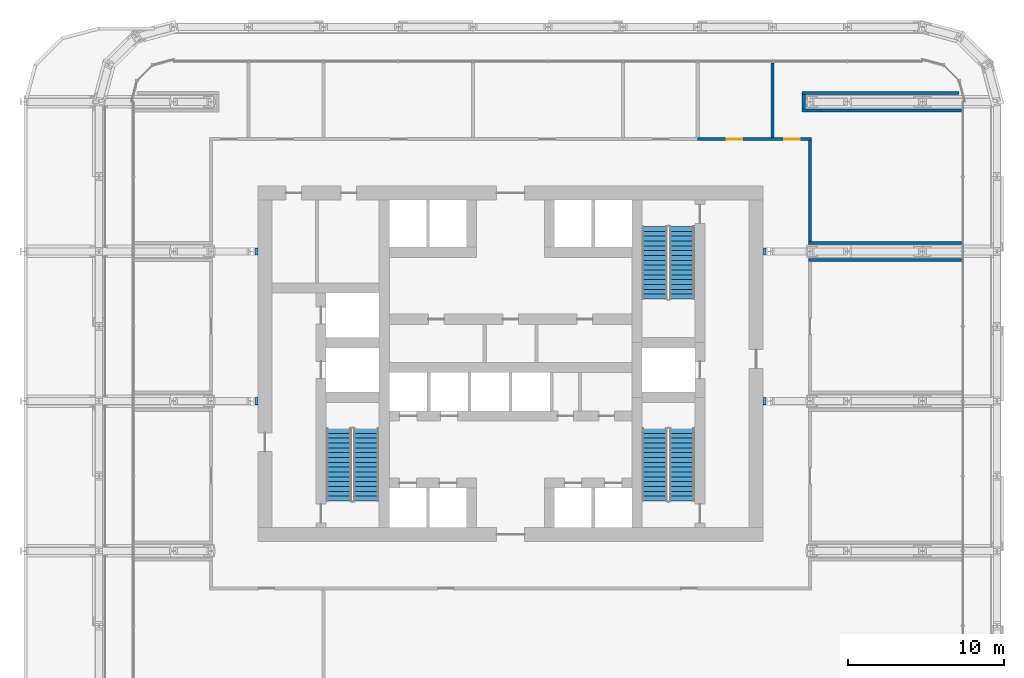
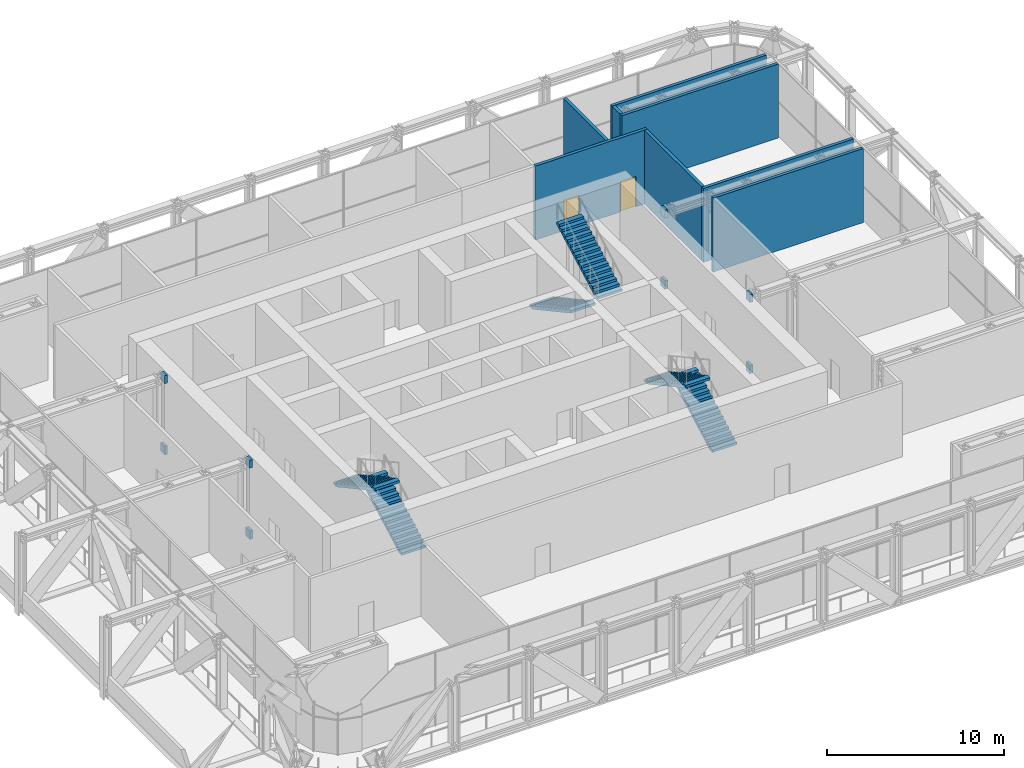
# One storey, part 22 of 30: 8 discrete accessories, 8 walls, 6 stair flights, 2 doors, 2 openings, 3 elements without a shape of their own.
"""IFC4 building model written with IfcOpenShell, lengths in metres."""

from ifc_helpers import new_model, si_unit, direction, frame, frame_2d, origin, origin_2d, place, context, subcontext, project, spatial, polyline, rectangle, outline, extrude, material, layer, layer_set, type_object, element, fill, aggregate, save


model = new_model("IFC4")

# Units and contexts
model_context = context("Model", 3, precision=1e-05, world=origin(), true_north=direction((0.0, 1.0)))
body_context = subcontext(model_context, "Body", "Model", "MODEL_VIEW")
ifc_project = project(units=[si_unit("LENGTHUNIT", "METRE"), si_unit("AREAUNIT", "SQUARE_METRE"), si_unit("VOLUMEUNIT", "CUBIC_METRE"), si_unit("PLANEANGLEUNIT", "RADIAN"), si_unit("MASSUNIT", "GRAM", prefix="KILO")], contexts=[model_context])

# Site, building, storey
site_placement = place(None, origin())
site = spatial("IfcSite", under=ifc_project, at=site_placement, CompositionType="ELEMENT")
building_placement = place(site_placement, origin())
building = spatial("IfcBuilding", under=site, at=building_placement, Name="Madar Terraces", CompositionType="ELEMENT")
storey_placement = place(building_placement, frame((0.0, 0.0, 53.89990234375)))
storey = spatial("IfcBuildingStorey", under=building, at=storey_placement, Name="L13", CompositionType="ELEMENT", Elevation=53.89990234375)

# Walls
ifc_material_1 = material(Name="Blockwork", Category="masonry")
ifc_layer = layer(ifc_material_1, 0.199951171875)
ifc_layer_set = layer_set([ifc_layer], Name="Partition 200 EI 120")
wall_type = type_object("IfcWallType", Name="Partition 200 EI 120", PredefinedType="PARTITIONING", material=ifc_layer_set)
for number, where, z_axis, x_axis, name in (
    (1, (50.300048828125, 33.050048828125, 0.0), (0.0, 0.0, 1.0), (1.0, 0.0, 0.0), "Wall SPRINKLER TANK ROOM / TRUSS SLOT"),
    (2, (50.300048828125, 34.14990234375, 0.0), (0.0, 0.0, 1.0), (1.0, 0.0, 0.0), "Wall TRANSFORMER ROOM / TRUSS SLOT"),
):
    element("IfcWall", number, at=place(storey_placement, frame(where, z_axis=z_axis, x_axis=x_axis)), inside=storey, type_object=wall_type, Name=name, PredefinedType="PARTITIONING", context=body_context, shape_type="SweptSolid", body=[
        extrude(rectangle(XDim=9.800048828125, YDim=0.199951171875, at=frame_2d((4.89990234375, 0.0))), origin(), (0.0, 0.0, 1.0), 5.10009765625),
    ])

# Wall, openings, doors
wall_1_placement = place(storey_placement, frame((43.199951171875, 40.800048828125, 0.0), z_axis=(0.0, 0.0, 1.0), x_axis=(1.0, 0.0, 0.0)))
wall_1 = element("IfcWall", 3, at=wall_1_placement, inside=storey, type_object=wall_type, Name="Wall STORE PLANT ROOM + TRANSFORMER ROOM", PredefinedType="PARTITIONING", context=body_context, shape_type="SweptSolid", body=[
    extrude(rectangle(XDim=7.300048828125, YDim=0.199951171875, at=frame_2d((3.64990234375, 0.0))), origin(), (0.0, 0.0, 1.0), 5.10009765625),
])
opening_1_placement = place(wall_1_placement, frame((1.85009765625, 0.0, 0.0)))
opening_1 = element("IfcOpeningElement", 4, at=opening_1_placement, cuts=wall_1, Name="Opening D33", PredefinedType="OPENING", context=body_context, shape_type="SweptSolid", body=[
    extrude(rectangle(XDim=1.0, YDim=2.10009765625, at=frame_2d((0.5, 1.050048828125))), frame((0.0, 0.10986328125, 0.0), z_axis=(0.0, -1.0, 0.0), x_axis=(1.0, 0.0, 0.0)), (0.0, 0.0, 1.0), 0.219970703125),
])
opening_2_placement = place(wall_1_placement, frame((5.550048828125, 0.0, 0.0)))
opening_2 = element("IfcOpeningElement", 5, at=opening_2_placement, cuts=wall_1, Name="Opening D33", PredefinedType="OPENING", context=body_context, shape_type="SweptSolid", body=[
    extrude(rectangle(XDim=1.0, YDim=2.10009765625, at=frame_2d((0.5, 1.050048828125))), frame((0.0, 0.10986328125, 0.0), z_axis=(0.0, -1.0, 0.0), x_axis=(1.0, 0.0, 0.0)), (0.0, 0.0, 1.0), 0.219970703125),
])
ifc_material_2 = material(Name="Timber door leaf, fire-rated", Category="wood")
door_type = type_object("IfcDoorType", Name="Podium door 1000 x 2100 FD90S", OperationType="NOTDEFINED", PredefinedType="DOOR", material=ifc_material_2)
door_1_placement = place(opening_1_placement, origin())
door_1 = element("IfcDoor", 6, at=door_1_placement, inside=storey, type_object=door_type, Name="Door STORE PLANT ROOM / RING CORRIDOR", OperationType="SINGLE_SWING_LEFT", OverallHeight=2.10009765625, OverallWidth=1.0, PredefinedType="DOOR", context=body_context, shape_type="SweptSolid", body=[
    extrude(rectangle(XDim=1.0, YDim=2.10009765625, at=frame_2d((0.5, 1.050048828125))), frame((0.0, 0.02490234375, 0.0), z_axis=(0.0, -1.0, 0.0), x_axis=(1.0, 0.0, 0.0)), (0.0, 0.0, 1.0), 0.050048828125),
])
fill(opening_1, door_1)
door_2_placement = place(opening_2_placement, origin())
door_2 = element("IfcDoor", 7, at=door_2_placement, inside=storey, type_object=door_type, Name="Door TRANSFORMER ROOM / RING CORRIDOR", OperationType="SINGLE_SWING_RIGHT", OverallHeight=2.10009765625, OverallWidth=1.0, PredefinedType="DOOR", context=body_context, shape_type="SweptSolid", body=[
    extrude(rectangle(XDim=1.0, YDim=2.10009765625, at=frame_2d((0.5, 1.050048828125))), frame((0.0, 0.02490234375, 0.0), z_axis=(0.0, -1.0, 0.0), x_axis=(1.0, 0.0, 0.0)), (0.0, 0.0, 1.0), 0.050048828125),
])
fill(opening_2, door_2)

# Walls
wall_2_placement = place(storey_placement, frame((49.89990234375, 42.64990234375, 0.0), z_axis=(0.0, 0.0, 1.0), x_axis=(1.0, 0.0, 0.0)))
element("IfcWall", 8, at=wall_2_placement, inside=storey, type_object=wall_type, Name="Wall TRANSFORMER ROOM / TRUSS SLOT", PredefinedType="PARTITIONING", context=body_context, shape_type="SweptSolid", body=[
    extrude(rectangle(XDim=10.2001953125, YDim=0.199951171875, at=frame_2d((5.10009765625, 0.0))), origin(), (0.0, 0.0, 1.0), 5.10009765625),
])
wall_3_placement = place(storey_placement, frame((49.89990234375, 43.75, 0.0), z_axis=(0.0, 0.0, 1.0), x_axis=(1.0, 0.0, 0.0)))
element("IfcWall", 9, at=wall_3_placement, inside=storey, type_object=wall_type, Name="Wall TRANSFORMER ROOM / TRUSS SLOT", PredefinedType="PARTITIONING", context=body_context, shape_type="SweptSolid", body=[
    extrude(rectangle(XDim=10.050048828125, YDim=0.199951171875, at=frame_2d((5.02490234375, 0.0))), origin(), (0.0, 0.0, 1.0), 5.10009765625),
])
wall_4_placement = place(storey_placement, frame((48.0, 40.89990234375, 0.0), z_axis=(0.0, 0.0, 1.0), x_axis=(0.0, 1.0, 0.0)))
element("IfcWall", 10, at=wall_4_placement, inside=storey, type_object=wall_type, Name="Wall STORE PLANT ROOM / TRANSFORMER ROOM", PredefinedType="PARTITIONING", context=body_context, shape_type="SweptSolid", body=[
    extrude(rectangle(XDim=4.800048828125, YDim=0.199951171875, at=frame_2d((2.39990234375, 0.0))), origin(), (0.0, 0.0, 1.0), 5.10009765625),
])
wall_5_placement = place(storey_placement, frame((50.0, 42.75, 0.0), z_axis=(0.0, 0.0, 1.0), x_axis=(0.0, 1.0, 0.0)))
element("IfcWall", 11, at=wall_5_placement, inside=storey, type_object=wall_type, Name="Wall TRANSFORMER ROOM / TRUSS SLOT", PredefinedType="PARTITIONING", context=body_context, shape_type="SweptSolid", body=[
    extrude(rectangle(XDim=0.89990234375, YDim=0.199951171875, at=frame_2d((0.449951171875, 0.0))), origin(), (0.0, 0.0, 1.0), 5.10009765625),
])
wall_6_placement = place(storey_placement, frame((50.39990234375, 34.25, 0.0), z_axis=(0.0, 0.0, 1.0), x_axis=(0.0, 1.0, 0.0)))
element("IfcWall", 12, at=wall_6_placement, inside=storey, type_object=wall_type, Name="Wall TRANSFORMER ROOM / RING CORRIDOR", PredefinedType="PARTITIONING", context=body_context, shape_type="SweptSolid", body=[
    extrude(rectangle(XDim=6.449951171875, YDim=0.199951171875, at=frame_2d((3.22509765625, 0.0))), origin(), (0.0, 0.0, 1.0), 5.10009765625),
])

# Stair, stair flights
ifc_material_3 = material(Name="Concrete C50/60", Category="concrete")
stair_type_1 = type_object("IfcStairType", Name="Stair ST1 protected exit", PredefinedType="HALF_TURN_STAIR", material=ifc_material_3)
stair_1_placement = place(storey_placement, origin())
stair_1 = element("IfcStair", 13, at=stair_1_placement, inside=storey, type_object=stair_type_1, Name="L13 Protected Exit Stair ST1", PredefinedType="HALF_TURN_STAIR")
ifc_material_4 = material(Name="Concrete C50/60", Category="concrete")
stair_flight_type_1 = type_object("IfcStairFlightType", Name="Stair flight ST1-F3, 1600 wide, 16 risers", PredefinedType="STRAIGHT", material=ifc_material_4)
stair_flight_1_placement = place(storey_placement, frame((21.949951171875, 17.60009765625, 0.0), z_axis=(0.0, 0.0, 1.0), x_axis=(0.0, 1.0, 0.0)))
stair_flight_1 = element("IfcStairFlight", 14, at=stair_flight_1_placement, type_object=stair_flight_type_1, Name="ST1 flight 1", NumberOfRisers=16, NumberOfTreads=15, PredefinedType="STRAIGHT", RiserHeight=0.16875, TreadLength=0.31, context=body_context, shape_type="SweptSolid", body=[
    extrude(outline(polyline([(0.0, 0.0), (0.0, 0.168701171875), (0.31005859375, 0.168701171875), (0.31005859375, 0.33740234375), (0.6201171875, 0.33740234375), (0.6201171875, 0.50634765625), (0.929931640625, 0.50634765625), (0.929931640625, 0.675048828125), (1.239990234375, 0.675048828125), (1.239990234375, 0.84375), (1.550048828125, 0.84375), (1.550048828125, 1.012451171875), (1.860107421875, 1.012451171875), (1.860107421875, 1.18115234375), (2.169921875, 1.18115234375), (2.169921875, 1.35009765625), (2.47998046875, 1.35009765625), (2.47998046875, 1.518798828125), (2.7900390625, 1.518798828125), (2.7900390625, 1.6875), (3.10009765625, 1.6875), (3.10009765625, 1.856201171875), (3.409912109375, 1.856201171875), (3.409912109375, 2.02490234375), (3.719970703125, 2.02490234375), (3.719970703125, 2.19384765625), (4.030029296875, 2.19384765625), (4.030029296875, 2.362548828125), (4.340087890625, 2.362548828125), (4.340087890625, 2.53125), (4.64990234375, 2.53125), (4.64990234375, 2.699951171875), (4.64990234375, 2.360595703125), (0.3134765625, 0.0), (0.0, 0.0)])), frame((0.0, 0.800048828125, 0.0), z_axis=(0.0, -1.0, 0.0), x_axis=(1.0, 0.0, 0.0)), (0.0, 0.0, 1.0), 1.60009765625),
])
stair_flight_2_placement = place(storey_placement, frame((20.199951171875, 22.25, 2.7001953125), z_axis=(0.0, 0.0, 1.0), x_axis=(0.0, -1.0, 0.0)))
stair_flight_2 = element("IfcStairFlight", 15, at=stair_flight_2_placement, type_object=stair_flight_type_1, Name="ST1 flight 2", NumberOfRisers=16, NumberOfTreads=15, PredefinedType="STRAIGHT", RiserHeight=0.16875, TreadLength=0.31, context=body_context, shape_type="SweptSolid", body=[
    extrude(outline(polyline([(0.0, 0.0), (0.0, 0.168701171875), (0.31005859375, 0.168701171875), (0.31005859375, 0.33740234375), (0.6201171875, 0.33740234375), (0.6201171875, 0.50634765625), (0.929931640625, 0.50634765625), (0.929931640625, 0.675048828125), (1.239990234375, 0.675048828125), (1.239990234375, 0.84375), (1.550048828125, 0.84375), (1.550048828125, 1.012451171875), (1.860107421875, 1.012451171875), (1.860107421875, 1.18115234375), (2.169921875, 1.18115234375), (2.169921875, 1.35009765625), (2.47998046875, 1.35009765625), (2.47998046875, 1.518798828125), (2.7900390625, 1.518798828125), (2.7900390625, 1.6875), (3.10009765625, 1.6875), (3.10009765625, 1.856201171875), (3.409912109375, 1.856201171875), (3.409912109375, 2.02490234375), (3.719970703125, 2.02490234375), (3.719970703125, 2.19384765625), (4.030029296875, 2.19384765625), (4.030029296875, 2.362548828125), (4.340087890625, 2.362548828125), (4.340087890625, 2.53125), (4.64990234375, 2.53125), (4.64990234375, 2.699951171875), (4.64990234375, 2.360595703125), (0.3134765625, 0.0), (0.0, 0.0)])), frame((0.0, 0.800048828125, 0.0), z_axis=(0.0, -1.0, 0.0), x_axis=(1.0, 0.0, 0.0)), (0.0, 0.0, 1.0), 1.60009765625),
])
aggregate(stair_1, [stair_flight_1, stair_flight_2])

ifc_material_5 = material(Name="Concrete C50/60", Category="concrete")
stair_type_2 = type_object("IfcStairType", Name="Stair ST2 protected exit", PredefinedType="HALF_TURN_STAIR", material=ifc_material_5)
stair_2_placement = place(storey_placement, origin())
stair_2 = element("IfcStair", 16, at=stair_2_placement, inside=storey, type_object=stair_type_2, Name="L13 Protected Exit Stair ST2", PredefinedType="HALF_TURN_STAIR")
ifc_material_6 = material(Name="Concrete C50/60", Category="concrete")
stair_flight_type_2 = type_object("IfcStairFlightType", Name="Stair flight ST2-F3, 1600 wide, 16 risers", PredefinedType="STRAIGHT", material=ifc_material_6)
stair_flight_3_placement = place(storey_placement, frame((40.449951171875, 35.199951171875, 0.0), z_axis=(0.0, 0.0, 1.0), x_axis=(0.0, -1.0, 0.0)))
stair_flight_3 = element("IfcStairFlight", 17, at=stair_flight_3_placement, type_object=stair_flight_type_2, Name="ST2 flight 1", NumberOfRisers=16, NumberOfTreads=15, PredefinedType="STRAIGHT", RiserHeight=0.16875, TreadLength=0.31, context=body_context, shape_type="SweptSolid", body=[
    extrude(outline(polyline([(0.0, 0.0), (0.0, 0.168701171875), (0.31005859375, 0.168701171875), (0.31005859375, 0.33740234375), (0.6201171875, 0.33740234375), (0.6201171875, 0.50634765625), (0.929931640625, 0.50634765625), (0.929931640625, 0.675048828125), (1.239990234375, 0.675048828125), (1.239990234375, 0.84375), (1.550048828125, 0.84375), (1.550048828125, 1.012451171875), (1.860107421875, 1.012451171875), (1.860107421875, 1.18115234375), (2.169921875, 1.18115234375), (2.169921875, 1.35009765625), (2.47998046875, 1.35009765625), (2.47998046875, 1.518798828125), (2.7900390625, 1.518798828125), (2.7900390625, 1.6875), (3.10009765625, 1.6875), (3.10009765625, 1.856201171875), (3.409912109375, 1.856201171875), (3.409912109375, 2.02490234375), (3.719970703125, 2.02490234375), (3.719970703125, 2.19384765625), (4.030029296875, 2.19384765625), (4.030029296875, 2.362548828125), (4.340087890625, 2.362548828125), (4.340087890625, 2.53125), (4.64990234375, 2.53125), (4.64990234375, 2.699951171875), (4.64990234375, 2.360595703125), (0.3134765625, 0.0), (0.0, 0.0)])), frame((0.0, 0.800048828125, 0.0), z_axis=(0.0, -1.0, 0.0), x_axis=(1.0, 0.0, 0.0)), (0.0, 0.0, 1.0), 1.60009765625),
])
stair_flight_4_placement = place(storey_placement, frame((42.199951171875, 30.550048828125, 2.7001953125), z_axis=(0.0, 0.0, 1.0), x_axis=(0.0, 1.0, 0.0)))
stair_flight_4 = element("IfcStairFlight", 18, at=stair_flight_4_placement, type_object=stair_flight_type_2, Name="ST2 flight 2", NumberOfRisers=16, NumberOfTreads=15, PredefinedType="STRAIGHT", RiserHeight=0.16875, TreadLength=0.31, context=body_context, shape_type="SweptSolid", body=[
    extrude(outline(polyline([(0.0, 0.0), (0.0, 0.168701171875), (0.31005859375, 0.168701171875), (0.31005859375, 0.33740234375), (0.6201171875, 0.33740234375), (0.6201171875, 0.50634765625), (0.929931640625, 0.50634765625), (0.929931640625, 0.675048828125), (1.239990234375, 0.675048828125), (1.239990234375, 0.84375), (1.550048828125, 0.84375), (1.550048828125, 1.012451171875), (1.860107421875, 1.012451171875), (1.860107421875, 1.18115234375), (2.169921875, 1.18115234375), (2.169921875, 1.35009765625), (2.47998046875, 1.35009765625), (2.47998046875, 1.518798828125), (2.7900390625, 1.518798828125), (2.7900390625, 1.6875), (3.10009765625, 1.6875), (3.10009765625, 1.856201171875), (3.409912109375, 1.856201171875), (3.409912109375, 2.02490234375), (3.719970703125, 2.02490234375), (3.719970703125, 2.19384765625), (4.030029296875, 2.19384765625), (4.030029296875, 2.362548828125), (4.340087890625, 2.362548828125), (4.340087890625, 2.53125), (4.64990234375, 2.53125), (4.64990234375, 2.699951171875), (4.64990234375, 2.360595703125), (0.3134765625, 0.0), (0.0, 0.0)])), frame((0.0, 0.800048828125, 0.0), z_axis=(0.0, -1.0, 0.0), x_axis=(1.0, 0.0, 0.0)), (0.0, 0.0, 1.0), 1.60009765625),
])
aggregate(stair_2, [stair_flight_3, stair_flight_4])

ifc_material_7 = material(Name="Concrete C50/60", Category="concrete")
stair_type_3 = type_object("IfcStairType", Name="Stair ST3 protected exit", PredefinedType="HALF_TURN_STAIR", material=ifc_material_7)
stair_3_placement = place(storey_placement, origin())
stair_3 = element("IfcStair", 19, at=stair_3_placement, inside=storey, type_object=stair_type_3, Name="L13 Protected Exit Stair ST3", PredefinedType="HALF_TURN_STAIR")
ifc_material_8 = material(Name="Concrete C50/60", Category="concrete")
stair_flight_type_3 = type_object("IfcStairFlightType", Name="Stair flight ST3-F3, 1600 wide, 16 risers", PredefinedType="STRAIGHT", material=ifc_material_8)
stair_flight_5_placement = place(storey_placement, frame((42.199951171875, 17.60009765625, 0.0), z_axis=(0.0, 0.0, 1.0), x_axis=(0.0, 1.0, 0.0)))
stair_flight_5 = element("IfcStairFlight", 20, at=stair_flight_5_placement, type_object=stair_flight_type_3, Name="ST3 flight 1", NumberOfRisers=16, NumberOfTreads=15, PredefinedType="STRAIGHT", RiserHeight=0.16875, TreadLength=0.31, context=body_context, shape_type="SweptSolid", body=[
    extrude(outline(polyline([(0.0, 0.0), (0.0, 0.168701171875), (0.31005859375, 0.168701171875), (0.31005859375, 0.33740234375), (0.6201171875, 0.33740234375), (0.6201171875, 0.50634765625), (0.929931640625, 0.50634765625), (0.929931640625, 0.675048828125), (1.239990234375, 0.675048828125), (1.239990234375, 0.84375), (1.550048828125, 0.84375), (1.550048828125, 1.012451171875), (1.860107421875, 1.012451171875), (1.860107421875, 1.18115234375), (2.169921875, 1.18115234375), (2.169921875, 1.35009765625), (2.47998046875, 1.35009765625), (2.47998046875, 1.518798828125), (2.7900390625, 1.518798828125), (2.7900390625, 1.6875), (3.10009765625, 1.6875), (3.10009765625, 1.856201171875), (3.409912109375, 1.856201171875), (3.409912109375, 2.02490234375), (3.719970703125, 2.02490234375), (3.719970703125, 2.19384765625), (4.030029296875, 2.19384765625), (4.030029296875, 2.362548828125), (4.340087890625, 2.362548828125), (4.340087890625, 2.53125), (4.64990234375, 2.53125), (4.64990234375, 2.699951171875), (4.64990234375, 2.360595703125), (0.3134765625, 0.0), (0.0, 0.0)])), frame((0.0, 0.800048828125, 0.0), z_axis=(0.0, -1.0, 0.0), x_axis=(1.0, 0.0, 0.0)), (0.0, 0.0, 1.0), 1.60009765625),
])
stair_flight_6_placement = place(storey_placement, frame((40.449951171875, 22.25, 2.7001953125), z_axis=(0.0, 0.0, 1.0), x_axis=(0.0, -1.0, 0.0)))
stair_flight_6 = element("IfcStairFlight", 21, at=stair_flight_6_placement, type_object=stair_flight_type_3, Name="ST3 flight 2", NumberOfRisers=16, NumberOfTreads=15, PredefinedType="STRAIGHT", RiserHeight=0.16875, TreadLength=0.31, context=body_context, shape_type="SweptSolid", body=[
    extrude(outline(polyline([(0.0, 0.0), (0.0, 0.168701171875), (0.31005859375, 0.168701171875), (0.31005859375, 0.33740234375), (0.6201171875, 0.33740234375), (0.6201171875, 0.50634765625), (0.929931640625, 0.50634765625), (0.929931640625, 0.675048828125), (1.239990234375, 0.675048828125), (1.239990234375, 0.84375), (1.550048828125, 0.84375), (1.550048828125, 1.012451171875), (1.860107421875, 1.012451171875), (1.860107421875, 1.18115234375), (2.169921875, 1.18115234375), (2.169921875, 1.35009765625), (2.47998046875, 1.35009765625), (2.47998046875, 1.518798828125), (2.7900390625, 1.518798828125), (2.7900390625, 1.6875), (3.10009765625, 1.6875), (3.10009765625, 1.856201171875), (3.409912109375, 1.856201171875), (3.409912109375, 2.02490234375), (3.719970703125, 2.02490234375), (3.719970703125, 2.19384765625), (4.030029296875, 2.19384765625), (4.030029296875, 2.362548828125), (4.340087890625, 2.362548828125), (4.340087890625, 2.53125), (4.64990234375, 2.53125), (4.64990234375, 2.699951171875), (4.64990234375, 2.360595703125), (0.3134765625, 0.0), (0.0, 0.0)])), frame((0.0, 0.800048828125, 0.0), z_axis=(0.0, -1.0, 0.0), x_axis=(1.0, 0.0, 0.0)), (0.0, 0.0, 1.0), 1.60009765625),
])
aggregate(stair_3, [stair_flight_5, stair_flight_6])

# Discrete accessories
ifc_material_9 = material(Name="Steel, galvanised", Category="steel")
discrete_accessory_type = type_object("IfcDiscreteAccessoryType", Name="Truss bearing plate", PredefinedType="BRACKET", material=ifc_material_9)
discrete_accessory_1_placement = place(storey_placement, frame((14.9033203125, 24.0, -0.419921875), z_axis=(0.0, 0.0, 1.0), x_axis=(1.0, 0.0, 0.0)))
element("IfcDiscreteAccessory", 22, at=discrete_accessory_1_placement, inside=storey, type_object=discrete_accessory_type, Name="Truss bearing plate bottom", PredefinedType="BRACKET", context=body_context, shape_type="SweptSolid", body=[
    extrude(rectangle(XDim=0.193359375, YDim=0.472412109375, at=origin_2d()), origin(), (0.0, 0.0, 1.0), 0.5791015625),
])
discrete_accessory_2_placement = place(storey_placement, frame((14.9033203125, 24.0, 4.4814453125), z_axis=(0.0, 0.0, 1.0), x_axis=(1.0, 0.0, 0.0)))
element("IfcDiscreteAccessory", 23, at=discrete_accessory_2_placement, inside=storey, type_object=discrete_accessory_type, Name="Truss bearing plate top", PredefinedType="BRACKET", context=body_context, shape_type="SweptSolid", body=[
    extrude(rectangle(XDim=0.193359375, YDim=0.449462890625, at=origin_2d()), origin(), (0.0, 0.0, 1.0), 0.548583984375),
])
discrete_accessory_3_placement = place(storey_placement, frame((14.9033203125, 33.60009765625, -0.419921875), z_axis=(0.0, 0.0, 1.0), x_axis=(1.0, 0.0, 0.0)))
element("IfcDiscreteAccessory", 24, at=discrete_accessory_3_placement, inside=storey, type_object=discrete_accessory_type, Name="Truss bearing plate bottom", PredefinedType="BRACKET", context=body_context, shape_type="SweptSolid", body=[
    extrude(rectangle(XDim=0.193359375, YDim=0.472412109375, at=origin_2d()), origin(), (0.0, 0.0, 1.0), 0.5791015625),
])
discrete_accessory_4_placement = place(storey_placement, frame((14.9033203125, 33.60009765625, 4.4814453125), z_axis=(0.0, 0.0, 1.0), x_axis=(1.0, 0.0, 0.0)))
element("IfcDiscreteAccessory", 25, at=discrete_accessory_4_placement, inside=storey, type_object=discrete_accessory_type, Name="Truss bearing plate top", PredefinedType="BRACKET", context=body_context, shape_type="SweptSolid", body=[
    extrude(rectangle(XDim=0.193359375, YDim=0.449462890625, at=origin_2d()), origin(), (0.0, 0.0, 1.0), 0.548583984375),
])
discrete_accessory_5_placement = place(storey_placement, frame((47.496826171875, 24.0, -0.419921875), z_axis=(0.0, 0.0, 1.0), x_axis=(1.0, 0.0, 0.0)))
element("IfcDiscreteAccessory", 26, at=discrete_accessory_5_placement, inside=storey, type_object=discrete_accessory_type, Name="Truss bearing plate bottom", PredefinedType="BRACKET", context=body_context, shape_type="SweptSolid", body=[
    extrude(rectangle(XDim=0.193359375, YDim=0.472412109375, at=origin_2d()), origin(), (0.0, 0.0, 1.0), 0.5791015625),
])
discrete_accessory_6_placement = place(storey_placement, frame((47.496826171875, 24.0, 4.4814453125), z_axis=(0.0, 0.0, 1.0), x_axis=(1.0, 0.0, 0.0)))
element("IfcDiscreteAccessory", 27, at=discrete_accessory_6_placement, inside=storey, type_object=discrete_accessory_type, Name="Truss bearing plate top", PredefinedType="BRACKET", context=body_context, shape_type="SweptSolid", body=[
    extrude(rectangle(XDim=0.193359375, YDim=0.449462890625, at=origin_2d()), origin(), (0.0, 0.0, 1.0), 0.548583984375),
])
discrete_accessory_7_placement = place(storey_placement, frame((47.496826171875, 33.60009765625, -0.419921875), z_axis=(0.0, 0.0, 1.0), x_axis=(1.0, 0.0, 0.0)))
element("IfcDiscreteAccessory", 28, at=discrete_accessory_7_placement, inside=storey, type_object=discrete_accessory_type, Name="Truss bearing plate bottom", PredefinedType="BRACKET", context=body_context, shape_type="SweptSolid", body=[
    extrude(rectangle(XDim=0.193359375, YDim=0.472412109375, at=origin_2d()), origin(), (0.0, 0.0, 1.0), 0.5791015625),
])
discrete_accessory_8_placement = place(storey_placement, frame((47.496826171875, 33.60009765625, 4.4814453125), z_axis=(0.0, 0.0, 1.0), x_axis=(1.0, 0.0, 0.0)))
element("IfcDiscreteAccessory", 29, at=discrete_accessory_8_placement, inside=storey, type_object=discrete_accessory_type, Name="Truss bearing plate top", PredefinedType="BRACKET", context=body_context, shape_type="SweptSolid", body=[
    extrude(rectangle(XDim=0.193359375, YDim=0.449462890625, at=origin_2d()), origin(), (0.0, 0.0, 1.0), 0.548583984375),
])

save(model, "model.ifc")
